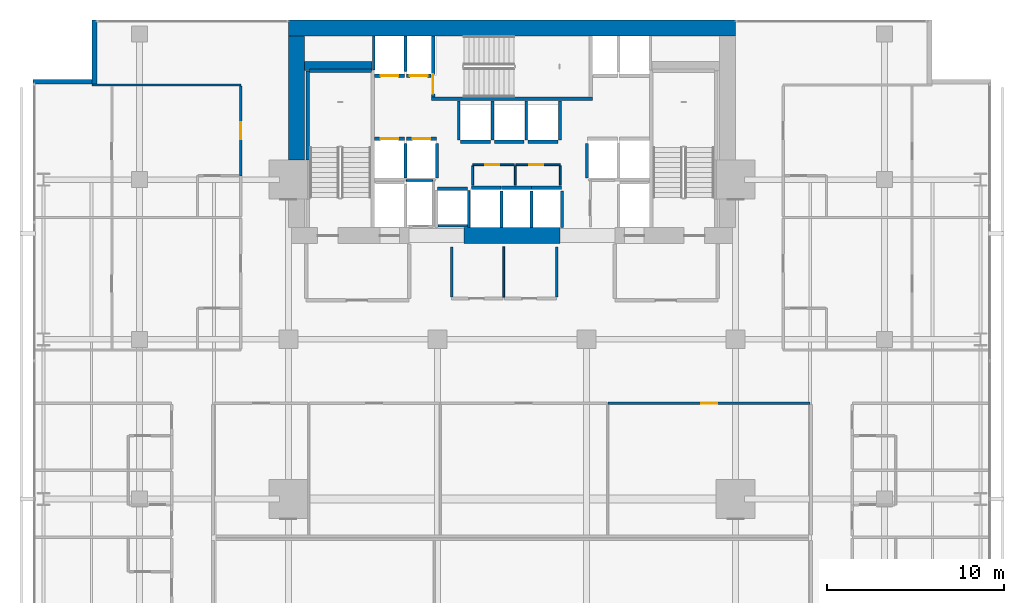
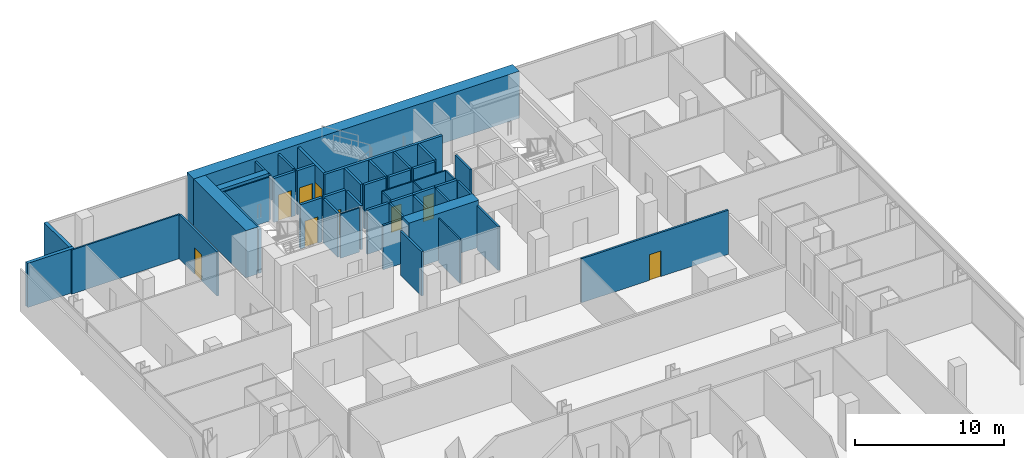
# One storey, part 36 of 40: 47 walls, 9 doors, 9 openings.
"""IFC4 building model written with IfcOpenShell, lengths in metres."""

from ifc_helpers import new_model, si_unit, direction, frame, frame_2d, origin, place, context, subcontext, project, spatial, rectangle, extrude, material, layer, layer_set, type_object, element, fill, save


model = new_model("IFC4")

# Units and contexts
model_context = context("Model", 3, precision=1e-05, world=origin(), true_north=direction((0.0, 1.0)))
body_context = subcontext(model_context, "Body", "Model", "MODEL_VIEW")
ifc_project = project(units=[si_unit("LENGTHUNIT", "METRE"), si_unit("AREAUNIT", "SQUARE_METRE"), si_unit("VOLUMEUNIT", "CUBIC_METRE"), si_unit("PLANEANGLEUNIT", "RADIAN"), si_unit("MASSUNIT", "GRAM", prefix="KILO")], contexts=[model_context])

# Site, building, storey
site_placement = place(None, origin())
site = spatial("IfcSite", under=ifc_project, at=site_placement, CompositionType="ELEMENT")
building_placement = place(site_placement, origin())
building = spatial("IfcBuilding", under=site, at=building_placement, Name="Maruvema Waterfront Hotel and Observation Tower", CompositionType="ELEMENT")
storey_placement = place(building_placement, frame((0.0, 0.0, 107.800048828125)))
storey = spatial("IfcBuildingStorey", under=building, at=storey_placement, Name="L26", CompositionType="ELEMENT", Elevation=107.800048828125)

# Walls
ifc_material_1 = material(Name="Twin-stud acoustic gypsum drywall", Category="gypsum")
ifc_layer_1 = layer(ifc_material_1, 0.14990234375, Name="Acoustic Corridor and Suite Demising Wall 150 mm")
ifc_layer_set_1 = layer_set([ifc_layer_1], Name="Twin-stud acoustic gypsum drywall")
wall_type_1 = type_object("IfcWallType", Name="Acoustic Corridor and Suite Demising Wall 150 mm", PredefinedType="PARTITIONING", material=ifc_layer_set_1)
for number, where, z_axis, x_axis, name in (
    (1, (34.39990234375, 38.3798828125, 0.0), (0.0, 0.0, 1.0), (0.0, 1.0, 0.0), "L26 Core Apron K2 West 019"),
    (2, (40.320068359375, 38.3798828125, 0.0), (0.0, 0.0, 1.0), (0.0, 1.0, 0.0), "L26 Core Apron K2 East 021"),
):
    element("IfcWall", number, at=place(storey_placement, frame(where, z_axis=z_axis, x_axis=x_axis)), inside=storey, type_object=wall_type_1, Name=name, PredefinedType="PARTITIONING", context=body_context, shape_type="SweptSolid", body=[
        extrude(rectangle(XDim=2.840087890625, YDim=0.14990234375, at=frame_2d((1.419921875, 0.0))), origin(), (0.0, 0.0, 1.0), 3.60986328125),
    ])

# Wall, opening, door
wall_1_placement = place(storey_placement, frame((43.221923828125, 32.39990234375, 0.0), z_axis=(0.0, 0.0, 1.0), x_axis=(1.0, 0.0, 0.0)))
wall_1 = element("IfcWall", 3, at=wall_1_placement, inside=storey, type_object=wall_type_1, Name="L26 L26-INTN Front 4 031", PredefinedType="PARTITIONING", context=body_context, shape_type="SweptSolid", body=[
    extrude(rectangle(XDim=11.3681640625, YDim=0.14990234375, at=frame_2d((5.68408203125, 0.0))), origin(), (0.0, 0.0, 1.0), 3.60986328125),
])
opening_1_placement = place(wall_1_placement, frame((5.23388671875, 0.0, 0.0)))
opening_1 = element("IfcOpeningElement", 4, at=opening_1_placement, cuts=wall_1, Name="Opening DR-090", PredefinedType="OPENING", context=body_context, shape_type="SweptSolid", body=[
    extrude(rectangle(XDim=0.89990234375, YDim=2.10009765625, at=frame_2d((0.449951171875, 1.050048828125))), frame((0.0, 0.0849609375, 0.0), z_axis=(0.0, -1.0, 0.0), x_axis=(1.0, 0.0, 0.0)), (0.0, 0.0, 1.0), 0.169921875),
])
ifc_material_2 = material(Name="Solid-core lacquered timber leaf", Category="wood")
door_type_1 = type_object("IfcDoorType", Name="Accessible Toilet and Room Door 900x2100 mm", OperationType="NOTDEFINED", PredefinedType="DOOR", material=ifc_material_2)
door_1_placement = place(opening_1_placement, origin())
door_1 = element("IfcDoor", 5, at=door_1_placement, inside=storey, type_object=door_type_1, Name="L26 Chef Pantry Kitchen 3 Door", OperationType="SINGLE_SWING_LEFT", OverallHeight=2.10009765625, OverallWidth=0.89990234375, PredefinedType="DOOR", context=body_context, shape_type="SweptSolid", body=[
    extrude(rectangle(XDim=0.89990234375, YDim=2.10009765625, at=frame_2d((0.449951171875, 1.050048828125))), frame((0.0, 0.02490234375, 0.0), z_axis=(0.0, -1.0, 0.0), x_axis=(1.0, 0.0, 0.0)), (0.0, 0.0, 1.0), 0.050048828125),
])
fill(opening_1, door_1)

wall_2_placement = place(storey_placement, frame((22.52001953125, 45.21875, 0.0), z_axis=(0.0, 0.0, 1.0), x_axis=(0.0, 1.0, 0.0)))
wall_2 = element("IfcWall", 6, at=wall_2_placement, inside=storey, type_object=wall_type_1, Name="L26 Room L26-NW2 Corridor Wall 126", PredefinedType="PARTITIONING", context=body_context, shape_type="SweptSolid", body=[
    extrude(rectangle(XDim=5.058837890625, YDim=0.14990234375, at=frame_2d((2.529296875, 0.0))), origin(), (0.0, 0.0, 1.0), 3.60986328125),
])
opening_2_placement = place(wall_2_placement, frame((2.054443359375, 0.0, 0.0)))
opening_2 = element("IfcOpeningElement", 7, at=opening_2_placement, cuts=wall_2, Name="Opening DR-095", PredefinedType="OPENING", context=body_context, shape_type="SweptSolid", body=[
    extrude(rectangle(XDim=0.949951171875, YDim=2.14990234375, at=frame_2d((0.47509765625, 1.074951171875))), frame((0.0, 0.0849609375, 0.0), z_axis=(0.0, -1.0, 0.0), x_axis=(1.0, 0.0, 0.0)), (0.0, 0.0, 1.0), 0.169921875),
])
ifc_material_3 = material(Name="Acoustic solid-core hardwood timber leaf", Category="wood")
door_type_2 = type_object("IfcDoorType", Name="Guestroom Entrance Fire Door 950x2150 mm", OperationType="NOTDEFINED", PredefinedType="DOOR", material=ifc_material_3)
door_2_placement = place(opening_2_placement, origin())
door_2 = element("IfcDoor", 8, at=door_2_placement, inside=storey, type_object=door_type_2, Name="L26 Room L26-NW2 Entrance Door", OperationType="SINGLE_SWING_LEFT", OverallHeight=2.14990234375, OverallWidth=0.949951171875, PredefinedType="DOOR", context=body_context, shape_type="SweptSolid", body=[
    extrude(rectangle(XDim=0.949951171875, YDim=2.14990234375, at=frame_2d((0.47509765625, 1.074951171875))), frame((0.0, 0.02490234375, 0.0), z_axis=(0.0, -1.0, 0.0), x_axis=(1.0, 0.0, 0.0)), (0.0, 0.0, 1.0), 0.050048828125),
])
fill(opening_2, door_2)

# Walls
ifc_material_4 = material(Name="Precast concrete C45/55", Category="concrete")
ifc_layer_2 = layer(ifc_material_4, 0.199951171875, Name="Core Shaft and Stairwell Enclosure Wall 200 mm")
ifc_layer_set_2 = layer_set([ifc_layer_2], Name="Precast concrete C45/55")
wall_type_2 = type_object("IfcWallType", Name="Core Shaft and Stairwell Enclosure Wall 200 mm", PredefinedType="SOLIDWALL", material=ifc_layer_set_2)
wall_3_placement = place(storey_placement, frame((26.300048828125, 46.1201171875, 0.0), z_axis=(0.0, 0.0, 1.0), x_axis=(0.0, 1.0, 0.0)))
element("IfcWall", 9, at=wall_3_placement, inside=storey, type_object=wall_type_2, Name="L26 Stairwell ST-01 Shaft Lining Wall", PredefinedType="SOLIDWALL", context=body_context, shape_type="SweptSolid", body=[
    extrude(rectangle(XDim=5.0, YDim=0.199951171875, at=frame_2d((2.5, 0.0))), origin(), (0.0, 0.0, 1.0), 3.60986328125),
])
wall_4_placement = place(storey_placement, frame((26.3798828125, 51.14990234375, 0.0), z_axis=(0.0, 0.0, 1.0), x_axis=(1.0, 0.0, 0.0)))
element("IfcWall", 10, at=wall_4_placement, inside=storey, type_object=wall_type_2, Name="L26 Stairwell ST-01 Shaft Lining Wall", PredefinedType="SOLIDWALL", context=body_context, shape_type="SweptSolid", body=[
    extrude(rectangle(XDim=3.5, YDim=0.199951171875, at=frame_2d((1.75, 0.0))), origin(), (0.0, 0.0, 1.0), 3.60986328125),
])
wall_5_placement = place(storey_placement, frame((33.25, 49.550048828125, 0.0), z_axis=(0.0, 0.0, 1.0), x_axis=(1.0, 0.0, 0.0)))
element("IfcWall", 11, at=wall_5_placement, inside=storey, type_object=wall_type_2, Name="L26 Stairwell ST-02 Shaft Wall", PredefinedType="SOLIDWALL", context=body_context, shape_type="SweptSolid", body=[
    extrude(rectangle(XDim=9.10009765625, YDim=0.199951171875, at=frame_2d((4.550048828125, 0.0))), origin(), (0.0, 0.0, 1.0), 3.60986328125),
])

# Wall, opening, door
wall_6_placement = place(storey_placement, frame((33.35009765625, 49.64990234375, 0.0), z_axis=(0.0, 0.0, 1.0), x_axis=(0.0, 1.0, 0.0)))
wall_6 = element("IfcWall", 12, at=wall_6_placement, inside=storey, type_object=wall_type_2, Name="L26 Stairwell ST-02 Shaft Wall", PredefinedType="SOLIDWALL", context=body_context, shape_type="SweptSolid", body=[
    extrude(rectangle(XDim=3.4501953125, YDim=0.199951171875, at=frame_2d((1.72509765625, 0.0))), origin(), (0.0, 0.0, 1.0), 3.60986328125),
])
opening_3_placement = place(wall_6_placement, frame((0.179931640625, 0.0, 0.0)))
opening_3 = element("IfcOpeningElement", 13, at=opening_3_placement, cuts=wall_6, Name="Opening SD-02", PredefinedType="OPENING", context=body_context, shape_type="SweptSolid", body=[
    extrude(rectangle(XDim=1.10009765625, YDim=2.14990234375, at=frame_2d((0.550048828125, 1.074951171875))), frame((0.0, 0.10986328125, 0.0), z_axis=(0.0, -1.0, 0.0), x_axis=(1.0, 0.0, 0.0)), (0.0, 0.0, 1.0), 0.219970703125),
])
ifc_material_5 = material(Name="Fire-rated galvanised steel leaf", Category="steel")
door_type_3 = type_object("IfcDoorType", Name="Central Exit Stair Fire Door 1100x2150 mm", OperationType="NOTDEFINED", PredefinedType="DOOR", material=ifc_material_5)
door_3_placement = place(opening_3_placement, frame((1.10009765625, 0.0, 0.0), z_axis=(0.0, 0.0, 1.0), x_axis=(-1.0, 0.0, 0.0)))
door_3 = element("IfcDoor", 14, at=door_3_placement, inside=storey, type_object=door_type_3, Name="L26 Exit Stair ST-02 Fire Door", OperationType="SINGLE_SWING_LEFT", OverallHeight=2.14990234375, OverallWidth=1.10009765625, PredefinedType="DOOR", context=body_context, shape_type="SweptSolid", body=[
    extrude(rectangle(XDim=1.10009765625, YDim=2.14990234375, at=frame_2d((0.550048828125, 1.074951171875))), frame((0.0, 0.02490234375, 0.0), z_axis=(0.0, -1.0, 0.0), x_axis=(1.0, 0.0, 0.0)), (0.0, 0.0, 1.0), 0.050048828125),
])
fill(opening_3, door_3)

wall_7_placement = place(storey_placement, frame((30.06005859375, 47.300048828125, 0.0), z_axis=(0.0, 0.0, 1.0), x_axis=(1.0, 0.0, 0.0)))
wall_7 = element("IfcWall", 15, at=wall_7_placement, inside=storey, type_object=wall_type_2, Name="L26 Lift LF-01 Hoistway Front Wall", PredefinedType="SOLIDWALL", context=body_context, shape_type="SweptSolid", body=[
    extrude(rectangle(XDim=1.679931640625, YDim=0.199951171875, at=frame_2d((0.83984375, 0.0))), origin(), (0.0, 0.0, 1.0), 3.60986328125),
])
opening_4_placement = place(wall_7_placement, frame((0.340087890625, 0.0, 0.0)))
opening_4 = element("IfcOpeningElement", 16, at=opening_4_placement, cuts=wall_7, Name="Opening LD-01", PredefinedType="OPENING", context=body_context, shape_type="SweptSolid", body=[
    extrude(rectangle(XDim=1.0, YDim=2.14990234375, at=frame_2d((0.5, 1.074951171875))), frame((0.0, 0.10986328125, 0.0), z_axis=(0.0, -1.0, 0.0), x_axis=(1.0, 0.0, 0.0)), (0.0, 0.0, 1.0), 0.219970703125),
])
ifc_material_6 = material(Name="Brushed stainless steel Grade 316", Category="steel")
door_type_4 = type_object("IfcDoorType", Name="Passenger Lift Sliding Landing Door 1000x2150 mm", OperationType="SLIDING_TO_LEFT", PredefinedType="DOOR", material=ifc_material_6)
door_4_placement = place(opening_4_placement, origin())
door_4 = element("IfcDoor", 17, at=door_4_placement, inside=storey, type_object=door_type_4, Name="L26 Lift LF-01 Sliding Landing Door", OperationType="SLIDING_TO_LEFT", OverallHeight=2.14990234375, OverallWidth=1.0, PredefinedType="DOOR", context=body_context, shape_type="SweptSolid", body=[
    extrude(rectangle(XDim=1.0, YDim=2.14990234375, at=frame_2d((0.5, 1.074951171875))), frame((0.0, 0.02490234375, 0.0), z_axis=(0.0, -1.0, 0.0), x_axis=(1.0, 0.0, 0.0)), (0.0, 0.0, 1.0), 0.050048828125),
])
fill(opening_4, door_4)

wall_8_placement = place(storey_placement, frame((31.860107421875, 47.300048828125, 0.0), z_axis=(0.0, 0.0, 1.0), x_axis=(1.0, 0.0, 0.0)))
wall_8 = element("IfcWall", 18, at=wall_8_placement, inside=storey, type_object=wall_type_2, Name="L26 Lift LF-02 Hoistway Front Wall", PredefinedType="SOLIDWALL", context=body_context, shape_type="SweptSolid", body=[
    extrude(rectangle(XDim=1.679931640625, YDim=0.199951171875, at=frame_2d((0.83984375, 0.0))), origin(), (0.0, 0.0, 1.0), 3.60986328125),
])
opening_5_placement = place(wall_8_placement, frame((0.340087890625, 0.0, 0.0)))
opening_5 = element("IfcOpeningElement", 19, at=opening_5_placement, cuts=wall_8, Name="Opening LD-01", PredefinedType="OPENING", context=body_context, shape_type="SweptSolid", body=[
    extrude(rectangle(XDim=1.0, YDim=2.14990234375, at=frame_2d((0.5, 1.074951171875))), frame((0.0, 0.10986328125, 0.0), z_axis=(0.0, -1.0, 0.0), x_axis=(1.0, 0.0, 0.0)), (0.0, 0.0, 1.0), 0.219970703125),
])
door_5_placement = place(opening_5_placement, origin())
door_5 = element("IfcDoor", 20, at=door_5_placement, inside=storey, type_object=door_type_4, Name="L26 Lift LF-02 Sliding Landing Door", OperationType="SLIDING_TO_LEFT", OverallHeight=2.14990234375, OverallWidth=1.0, PredefinedType="DOOR", context=body_context, shape_type="SweptSolid", body=[
    extrude(rectangle(XDim=1.0, YDim=2.14990234375, at=frame_2d((0.5, 1.074951171875))), frame((0.0, 0.02490234375, 0.0), z_axis=(0.0, -1.0, 0.0), x_axis=(1.0, 0.0, 0.0)), (0.0, 0.0, 1.0), 0.050048828125),
])
fill(opening_5, door_5)

wall_9_placement = place(storey_placement, frame((30.06005859375, 50.85009765625, 0.0), z_axis=(0.0, 0.0, 1.0), x_axis=(1.0, 0.0, 0.0)))
wall_9 = element("IfcWall", 21, at=wall_9_placement, inside=storey, type_object=wall_type_2, Name="L26 Lift LF-03 Hoistway Front Wall", PredefinedType="SOLIDWALL", context=body_context, shape_type="SweptSolid", body=[
    extrude(rectangle(XDim=1.679931640625, YDim=0.199951171875, at=frame_2d((0.83984375, 0.0))), origin(), (0.0, 0.0, 1.0), 3.60986328125),
])
opening_6_placement = place(wall_9_placement, frame((0.340087890625, 0.0, 0.0)))
opening_6 = element("IfcOpeningElement", 22, at=opening_6_placement, cuts=wall_9, Name="Opening LD-01", PredefinedType="OPENING", context=body_context, shape_type="SweptSolid", body=[
    extrude(rectangle(XDim=1.0, YDim=2.14990234375, at=frame_2d((0.5, 1.074951171875))), frame((0.0, 0.10986328125, 0.0), z_axis=(0.0, -1.0, 0.0), x_axis=(1.0, 0.0, 0.0)), (0.0, 0.0, 1.0), 0.219970703125),
])
door_6_placement = place(opening_6_placement, frame((1.0, 0.0, 0.0), z_axis=(0.0, 0.0, 1.0), x_axis=(-1.0, 0.0, 0.0)))
door_6 = element("IfcDoor", 23, at=door_6_placement, inside=storey, type_object=door_type_4, Name="L26 Lift LF-03 Sliding Landing Door", OperationType="SLIDING_TO_LEFT", OverallHeight=2.14990234375, OverallWidth=1.0, PredefinedType="DOOR", context=body_context, shape_type="SweptSolid", body=[
    extrude(rectangle(XDim=1.0, YDim=2.14990234375, at=frame_2d((0.5, 1.074951171875))), frame((0.0, 0.02490234375, 0.0), z_axis=(0.0, -1.0, 0.0), x_axis=(1.0, 0.0, 0.0)), (0.0, 0.0, 1.0), 0.050048828125),
])
fill(opening_6, door_6)

wall_10_placement = place(storey_placement, frame((31.860107421875, 50.85009765625, 0.0), z_axis=(0.0, 0.0, 1.0), x_axis=(1.0, 0.0, 0.0)))
wall_10 = element("IfcWall", 24, at=wall_10_placement, inside=storey, type_object=wall_type_2, Name="L26 Lift LF-04 Hoistway Front Wall", PredefinedType="SOLIDWALL", context=body_context, shape_type="SweptSolid", body=[
    extrude(rectangle(XDim=1.3798828125, YDim=0.199951171875, at=frame_2d((0.68994140625, 0.0))), origin(), (0.0, 0.0, 1.0), 3.60986328125),
])
opening_7_placement = place(wall_10_placement, frame((0.18994140625, 0.0, 0.0)))
opening_7 = element("IfcOpeningElement", 25, at=opening_7_placement, cuts=wall_10, Name="Opening LD-01", PredefinedType="OPENING", context=body_context, shape_type="SweptSolid", body=[
    extrude(rectangle(XDim=1.0, YDim=2.14990234375, at=frame_2d((0.5, 1.074951171875))), frame((0.0, 0.10986328125, 0.0), z_axis=(0.0, -1.0, 0.0), x_axis=(1.0, 0.0, 0.0)), (0.0, 0.0, 1.0), 0.219970703125),
])
door_7_placement = place(opening_7_placement, frame((1.0, 0.0, 0.0), z_axis=(0.0, 0.0, 1.0), x_axis=(-1.0, 0.0, 0.0)))
door_7 = element("IfcDoor", 26, at=door_7_placement, inside=storey, type_object=door_type_4, Name="L26 Lift LF-04 Sliding Landing Door", OperationType="SLIDING_TO_LEFT", OverallHeight=2.14990234375, OverallWidth=1.0, PredefinedType="DOOR", context=body_context, shape_type="SweptSolid", body=[
    extrude(rectangle(XDim=1.0, YDim=2.14990234375, at=frame_2d((0.5, 1.074951171875))), frame((0.0, 0.02490234375, 0.0), z_axis=(0.0, -1.0, 0.0), x_axis=(1.0, 0.0, 0.0)), (0.0, 0.0, 1.0), 0.050048828125),
])
fill(opening_7, door_7)

# Walls
for number, where, z_axis, x_axis, name in (
    (27, (35.510009765625, 44.550048828125, 0.0), (0.0, 0.0, 1.0), (1.0, 0.0, 0.0), "L26 Lift LF-09 Hoistway Front Wall"),
    (28, (37.2099609375, 44.550048828125, 0.0), (0.0, 0.0, 1.0), (1.0, 0.0, 0.0), "L26 Lift LF-10 Hoistway Front Wall"),
):
    element("IfcWall", number, at=place(storey_placement, frame(where, z_axis=z_axis, x_axis=x_axis)), inside=storey, type_object=wall_type_2, Name=name, PredefinedType="SOLIDWALL", context=body_context, shape_type="SweptSolid", body=[
        extrude(rectangle(XDim=1.679931640625, YDim=0.199951171875, at=frame_2d((0.83984375, 0.0))), origin(), (0.0, 0.0, 1.0), 3.60986328125),
    ])
for number, where, z_axis, x_axis, name in (
    (29, (38.909912109375, 44.550048828125, 0.0), (0.0, 0.0, 1.0), (1.0, 0.0, 0.0), "L26 Lift LF-11 Hoistway Front Wall"),
    (30, (34.909912109375, 47.14990234375, 0.0), (0.0, 0.0, 1.0), (1.0, 0.0, 0.0), "L26 Lift LF-12 Hoistway Front Wall"),
):
    element("IfcWall", number, at=place(storey_placement, frame(where, z_axis=z_axis, x_axis=x_axis)), inside=storey, type_object=wall_type_2, Name=name, PredefinedType="SOLIDWALL", context=body_context, shape_type="SweptSolid", body=[
        extrude(rectangle(XDim=1.68017578125, YDim=0.199951171875, at=frame_2d((0.840087890625, 0.0))), origin(), (0.0, 0.0, 1.0), 3.60986328125),
    ])
for number, where, z_axis, x_axis, name in (
    (31, (36.81005859375, 47.14990234375, 0.0), (0.0, 0.0, 1.0), (1.0, 0.0, 0.0), "L26 Lift LF-13 Hoistway Front Wall"),
    (32, (38.7099609375, 47.14990234375, 0.0), (0.0, 0.0, 1.0), (1.0, 0.0, 0.0), "L26 Lift LF-14 Hoistway Front Wall"),
    (33, (33.610107421875, 44.5, 0.0), (0.0, 0.0, 1.0), (1.0, 0.0, 0.0), "L26 Lift LF-15 Hoistway Front Wall"),
):
    element("IfcWall", number, at=place(storey_placement, frame(where, z_axis=z_axis, x_axis=x_axis)), inside=storey, type_object=wall_type_2, Name=name, PredefinedType="SOLIDWALL", context=body_context, shape_type="SweptSolid", body=[
        extrude(rectangle(XDim=1.679931640625, YDim=0.199951171875, at=frame_2d((0.83984375, 0.0))), origin(), (0.0, 0.0, 1.0), 3.60986328125),
    ])
ifc_material_7 = material(Name="Concrete C70/85", Category="concrete")
ifc_layer_3 = layer(ifc_material_7, 0.5, Name="Core Shear Wall 500 mm")
ifc_layer_set_3 = layer_set([ifc_layer_3], Name="Concrete C70/85")
wall_type_3 = type_object("IfcWallType", Name="Core Shear Wall 500 mm", PredefinedType="SHEAR", material=ifc_layer_set_3)
wall_11_placement = place(storey_placement, frame((26.10009765625, 51.39990234375, 0.0), z_axis=(0.0, 0.0, 1.0), x_axis=(1.0, 0.0, 0.0)))
element("IfcWall", 34, at=wall_11_placement, inside=storey, type_object=wall_type_3, Name="L26 Internal Core Shear Wall NW 500 mm", PredefinedType="SHEAR", context=body_context, shape_type="SweptSolid", body=[
    extrude(rectangle(XDim=3.7998046875, YDim=0.5, at=frame_2d((1.89990234375, 0.0))), origin(), (0.0, 0.0, 1.0), 3.849853515625),
])
ifc_material_8 = material(Name="Concrete C80/95", Category="concrete")
ifc_layer_4 = layer(ifc_material_8, 0.89990234375, Name="Core Shear Wall 900 mm")
ifc_layer_set_4 = layer_set([ifc_layer_4], Name="Concrete C80/95")
wall_type_4 = type_object("IfcWallType", Name="Core Shear Wall 900 mm", PredefinedType="SHEAR", material=ifc_layer_set_4)
wall_12_placement = place(storey_placement, frame((25.199951171875, 53.550048828125, 0.0), z_axis=(0.0, 0.0, 1.0), x_axis=(1.0, 0.0, 0.0)))
element("IfcWall", 35, at=wall_12_placement, inside=storey, type_object=wall_type_4, Name="L26 North Core Shear Wall", PredefinedType="SHEAR", context=body_context, shape_type="SweptSolid", body=[
    extrude(rectangle(XDim=25.199951171875, YDim=0.89990234375, at=frame_2d((12.60009765625, 0.0))), origin(), (0.0, 0.0, 1.0), 3.849853515625),
])
wall_13_placement = place(storey_placement, frame((35.10009765625, 41.85009765625, 0.0), z_axis=(0.0, 0.0, 1.0), x_axis=(1.0, 0.0, 0.0)))
element("IfcWall", 36, at=wall_13_placement, inside=storey, type_object=wall_type_4, Name="L26 South-Central Core Shear Wall", PredefinedType="SHEAR", context=body_context, shape_type="SweptSolid", body=[
    extrude(rectangle(XDim=5.39990234375, YDim=0.89990234375, at=frame_2d((2.699951171875, 0.0))), origin(), (0.0, 0.0, 1.0), 3.849853515625),
])
wall_14_placement = place(storey_placement, frame((25.64990234375, 46.10009765625, 0.0), z_axis=(0.0, 0.0, 1.0), x_axis=(0.0, 1.0, 0.0)))
element("IfcWall", 37, at=wall_14_placement, inside=storey, type_object=wall_type_4, Name="L26 West-North Core Shear Wall", PredefinedType="SHEAR", context=body_context, shape_type="SweptSolid", body=[
    extrude(rectangle(XDim=7.0, YDim=0.89990234375, at=frame_2d((3.5, 0.0))), origin(), (0.0, 0.0, 1.0), 3.849853515625),
])
ifc_material_9 = material(Name="Moisture-resistant cement-board drywall", Category="gypsum")
ifc_layer_5 = layer(ifc_material_9, 0.10009765625, Name="En-Suite Moisture-Resistant Partition 100 mm")
ifc_layer_set_5 = layer_set([ifc_layer_5], Name="Moisture-resistant cement-board drywall")
wall_type_5 = type_object("IfcWallType", Name="En-Suite Moisture-Resistant Partition 100 mm", PredefinedType="PARTITIONING", material=ifc_layer_set_5)
wall_15_placement = place(storey_placement, frame((31.840087890625, 44.9599609375, 0.0), z_axis=(0.0, 0.0, 1.0), x_axis=(1.0, 0.0, 0.0)))
element("IfcWall", 38, at=wall_15_placement, inside=storey, type_object=wall_type_5, Name="L26 Telecom Riser North Wall 008", PredefinedType="PARTITIONING", context=body_context, shape_type="SweptSolid", body=[
    extrude(rectangle(XDim=1.47998046875, YDim=0.10009765625, at=frame_2d((0.739990234375, 0.0))), origin(), (0.0, 0.0, 1.0), 3.60986328125),
])

# Wall, opening, door
wall_16_placement = place(storey_placement, frame((35.580078125, 45.840087890625, 0.0), z_axis=(0.0, 0.0, 1.0), x_axis=(1.0, 0.0, 0.0)))
wall_16 = element("IfcWall", 39, at=wall_16_placement, inside=storey, type_object=wall_type_5, Name="L26 Core Closet K2A North 010", PredefinedType="PARTITIONING", context=body_context, shape_type="SweptSolid", body=[
    extrude(rectangle(XDim=2.35986328125, YDim=0.10009765625, at=frame_2d((1.179931640625, 0.0))), origin(), (0.0, 0.0, 1.0), 3.60986328125),
])
opening_8_placement = place(wall_16_placement, frame((0.699951171875, 0.0, 0.0)))
opening_8 = element("IfcOpeningElement", 40, at=opening_8_placement, cuts=wall_16, Name="Opening DR-080", PredefinedType="OPENING", context=body_context, shape_type="SweptSolid", body=[
    extrude(rectangle(XDim=0.800048828125, YDim=2.050048828125, at=frame_2d((0.39990234375, 1.02490234375))), frame((0.0, 0.06005859375, 0.0), z_axis=(0.0, -1.0, 0.0), x_axis=(1.0, 0.0, 0.0)), (0.0, 0.0, 1.0), 0.1201171875),
])
ifc_material_10 = material(Name="Powder-coated steel access leaf", Category="steel")
door_type_5 = type_object("IfcDoorType", Name="Riser and Service Cupboard Door 800x2050 mm", OperationType="NOTDEFINED", PredefinedType="DOOR", material=ifc_material_10)
door_8_placement = place(opening_8_placement, origin())
door_8 = element("IfcDoor", 41, at=door_8_placement, inside=storey, type_object=door_type_5, Name="L26 Core IT Closet Door", OperationType="SINGLE_SWING_LEFT", OverallHeight=2.050048828125, OverallWidth=0.800048828125, PredefinedType="DOOR", context=body_context, shape_type="SweptSolid", body=[
    extrude(rectangle(XDim=0.800048828125, YDim=2.050048828125, at=frame_2d((0.39990234375, 1.02490234375))), frame((0.0, 0.02490234375, 0.0), z_axis=(0.0, -1.0, 0.0), x_axis=(1.0, 0.0, 0.0)), (0.0, 0.0, 1.0), 0.050048828125),
])
fill(opening_8, door_8)

wall_17_placement = place(storey_placement, frame((38.02001953125, 45.840087890625, 0.0), z_axis=(0.0, 0.0, 1.0), x_axis=(1.0, 0.0, 0.0)))
wall_17 = element("IfcWall", 42, at=wall_17_placement, inside=storey, type_object=wall_type_5, Name="L26 Core Closet K2B North 011", PredefinedType="PARTITIONING", context=body_context, shape_type="SweptSolid", body=[
    extrude(rectangle(XDim=2.5, YDim=0.10009765625, at=frame_2d((1.25, 0.0))), origin(), (0.0, 0.0, 1.0), 3.60986328125),
])
opening_9_placement = place(wall_17_placement, frame((0.75, 0.0, 0.0)))
opening_9 = element("IfcOpeningElement", 43, at=opening_9_placement, cuts=wall_17, Name="Opening DR-080", PredefinedType="OPENING", context=body_context, shape_type="SweptSolid", body=[
    extrude(rectangle(XDim=0.800048828125, YDim=2.050048828125, at=frame_2d((0.39990234375, 1.02490234375))), frame((0.0, 0.06005859375, 0.0), z_axis=(0.0, -1.0, 0.0), x_axis=(1.0, 0.0, 0.0)), (0.0, 0.0, 1.0), 0.1201171875),
])
door_9_placement = place(opening_9_placement, origin())
door_9 = element("IfcDoor", 44, at=door_9_placement, inside=storey, type_object=door_type_5, Name="L26 Core Linen Cupboard Door", OperationType="SINGLE_SWING_RIGHT", OverallHeight=2.050048828125, OverallWidth=0.800048828125, PredefinedType="DOOR", context=body_context, shape_type="SweptSolid", body=[
    extrude(rectangle(XDim=0.800048828125, YDim=2.050048828125, at=frame_2d((0.39990234375, 1.02490234375))), frame((0.0, 0.02490234375, 0.0), z_axis=(0.0, -1.0, 0.0), x_axis=(1.0, 0.0, 0.0)), (0.0, 0.0, 1.0), 0.050048828125),
])
fill(opening_9, door_9)

# Walls
for number, where, z_axis, x_axis, name in (
    (45, (35.580078125, 44.699951171875, 0.0), (0.0, 0.0, 1.0), (0.0, 1.0, 0.0), "L26 Core Closet K2 West 012"),
    (46, (37.97998046875, 44.699951171875, 0.0), (0.0, 0.0, 1.0), (0.0, 1.0, 0.0), "L26 Core Closet K2 Mid 013"),
    (47, (40.52001953125, 44.699951171875, 0.0), (0.0, 0.0, 1.0), (0.0, 1.0, 0.0), "L26 Core Closet K2 East 014"),
):
    element("IfcWall", number, at=place(storey_placement, frame(where, z_axis=z_axis, x_axis=x_axis)), inside=storey, type_object=wall_type_5, Name=name, PredefinedType="PARTITIONING", context=body_context, shape_type="SweptSolid", body=[
        extrude(rectangle(XDim=1.080078125, YDim=0.10009765625, at=frame_2d((0.5400390625, 0.0))), origin(), (0.0, 0.0, 1.0), 3.60986328125),
    ])
wall_18_placement = place(storey_placement, frame((37.330078125, 38.3798828125, 0.0), z_axis=(0.0, 0.0, 1.0), x_axis=(0.0, 1.0, 0.0)))
element("IfcWall", 48, at=wall_18_placement, inside=storey, type_object=wall_type_5, Name="L26 Core Apron K2 Split 020", PredefinedType="PARTITIONING", context=body_context, shape_type="SweptSolid", body=[
    extrude(rectangle(XDim=2.840087890625, YDim=0.10009765625, at=frame_2d((1.419921875, 0.0))), origin(), (0.0, 0.0, 1.0), 3.60986328125),
])
ifc_material_11 = material(Name="Precast concrete C45/55 with honed Pernambuco granite facing", Category="masonry")
ifc_layer_6 = layer(ifc_material_11, 0.260009765625, Name="Exterior Granite Clad Spandrel and Pier Wall 260 mm")
ifc_layer_set_6 = layer_set([ifc_layer_6], Name="Precast concrete C45/55 with honed Pernambuco granite facing")
wall_type_6 = type_object("IfcWallType", Name="Exterior Granite Clad Spandrel and Pier Wall 260 mm", PredefinedType="SOLIDWALL", material=ifc_layer_set_6)
wall_19_placement = place(storey_placement, frame((14.27001953125, 50.39990234375, 0.0), z_axis=(0.0, 0.0, 1.0), x_axis=(0.0, 1.0, 0.0)))
element("IfcWall", 49, at=wall_19_placement, inside=storey, type_object=wall_type_6, Name="L26 Corner Notch Granite Pier Wall NW1", PredefinedType="SOLIDWALL", context=body_context, shape_type="SweptSolid", body=[
    extrude(rectangle(XDim=3.60009765625, YDim=0.260009765625, at=frame_2d((1.800048828125, 0.0))), origin(), (0.0, 0.0, 1.0), 3.60986328125),
])
wall_20_placement = place(storey_placement, frame((10.800048828125, 50.530029296875, 0.0), z_axis=(0.0, 0.0, 1.0), x_axis=(1.0, 0.0, 0.0)))
element("IfcWall", 50, at=wall_20_placement, inside=storey, type_object=wall_type_6, Name="L26 Corner Notch Granite Pier Wall NW2", PredefinedType="SOLIDWALL", context=body_context, shape_type="SweptSolid", body=[
    extrude(rectangle(XDim=3.599853515625, YDim=0.260009765625, at=frame_2d((1.7998046875, 0.0))), origin(), (0.0, 0.0, 1.0), 3.60986328125),
])
ifc_material_12 = material(Name="Acoustic gypsum plasterboard drywall", Category="gypsum")
ifc_layer_7 = layer(ifc_material_12, 0.125, Name="Guestroom Acoustic Demising Wall 125 mm")
ifc_layer_set_7 = layer_set([ifc_layer_7], Name="Acoustic gypsum plasterboard drywall")
wall_type_7 = type_object("IfcWallType", Name="Guestroom Acoustic Demising Wall 125 mm", PredefinedType="PARTITIONING", material=ifc_layer_set_7)
wall_21_placement = place(storey_placement, frame((14.139892578125, 50.33740234375, 0.0), z_axis=(0.0, 0.0, 1.0), x_axis=(1.0, 0.0, 0.0)))
element("IfcWall", 51, at=wall_21_placement, inside=storey, type_object=wall_type_7, Name="L26 NW Top End 111", PredefinedType="PARTITIONING", context=body_context, shape_type="SweptSolid", body=[
    extrude(rectangle(XDim=8.380126953125, YDim=0.125, at=frame_2d((4.18994140625, 0.0))), origin(), (0.0, 0.0, 1.0), 3.60986328125),
])
ifc_material_13 = material(Name="Precast concrete C45/55", Category="concrete")
ifc_layer_8 = layer(ifc_material_13, 0.159912109375, Name="Lift Hoistway Divider Wall 160 mm")
ifc_layer_set_8 = layer_set([ifc_layer_8], Name="Precast concrete C45/55")
wall_type_8 = type_object("IfcWallType", Name="Lift Hoistway Divider Wall 160 mm", PredefinedType="SOLIDWALL", material=ifc_layer_set_8)
for number, where, z_axis, x_axis, name in (
    (52, (31.800048828125, 45.10009765625, 0.0), (0.0, 0.0, 1.0), (0.0, 1.0, 0.0), "L26 Hoistway Divider Wall"),
    (53, (33.580078125, 45.10009765625, 0.0), (0.0, 0.0, 1.0), (0.0, 1.0, 0.0), "L26 Hoistway Divider Wall"),
):
    element("IfcWall", number, at=place(storey_placement, frame(where, z_axis=z_axis, x_axis=x_axis)), inside=storey, type_object=wall_type_8, Name=name, PredefinedType="SOLIDWALL", context=body_context, shape_type="SweptSolid", body=[
        extrude(rectangle(XDim=1.949951171875, YDim=0.159912109375, at=frame_2d((0.97509765625, 0.0))), origin(), (0.0, 0.0, 1.0), 3.60986328125),
    ])
wall_22_placement = place(storey_placement, frame((30.010009765625, 51.179931640625, 0.0), z_axis=(0.0, 0.0, 1.0), x_axis=(0.0, 1.0, 0.0)))
element("IfcWall", 54, at=wall_22_placement, inside=storey, type_object=wall_type_8, Name="L26 Hoistway Divider Wall", PredefinedType="SOLIDWALL", context=body_context, shape_type="SweptSolid", body=[
    extrude(rectangle(XDim=1.920166015625, YDim=0.159912109375, at=frame_2d((0.9599609375, 0.0))), origin(), (0.0, 0.0, 1.0), 3.60986328125),
])
wall_23_placement = place(storey_placement, frame((31.800048828125, 51.10009765625, 0.0), z_axis=(0.0, 0.0, 1.0), x_axis=(0.0, 1.0, 0.0)))
element("IfcWall", 55, at=wall_23_placement, inside=storey, type_object=wall_type_8, Name="L26 Hoistway Divider Wall", PredefinedType="SOLIDWALL", context=body_context, shape_type="SweptSolid", body=[
    extrude(rectangle(XDim=2.0, YDim=0.159912109375, at=frame_2d((1.0, 0.0))), origin(), (0.0, 0.0, 1.0), 3.60986328125),
])
wall_24_placement = place(storey_placement, frame((42.02001953125, 45.10009765625, 0.0), z_axis=(0.0, 0.0, 1.0), x_axis=(0.0, 1.0, 0.0)))
element("IfcWall", 56, at=wall_24_placement, inside=storey, type_object=wall_type_8, Name="L26 Hoistway Divider Wall", PredefinedType="SOLIDWALL", context=body_context, shape_type="SweptSolid", body=[
    extrude(rectangle(XDim=1.949951171875, YDim=0.159912109375, at=frame_2d((0.97509765625, 0.0))), origin(), (0.0, 0.0, 1.0), 3.60986328125),
])
for number, where, z_axis, x_axis, name in (
    (57, (37.199951171875, 42.300048828125, 0.0), (0.0, 0.0, 1.0), (0.0, 1.0, 0.0), "L26 Hoistway Divider Wall"),
    (58, (38.89990234375, 42.300048828125, 0.0), (0.0, 0.0, 1.0), (0.0, 1.0, 0.0), "L26 Hoistway Divider Wall"),
    (59, (40.6201171875, 42.300048828125, 0.0), (0.0, 0.0, 1.0), (0.0, 1.0, 0.0), "L26 Hoistway Divider Wall"),
):
    element("IfcWall", number, at=place(storey_placement, frame(where, z_axis=z_axis, x_axis=x_axis)), inside=storey, type_object=wall_type_8, Name=name, PredefinedType="SOLIDWALL", context=body_context, shape_type="SweptSolid", body=[
        extrude(rectangle(XDim=2.050048828125, YDim=0.159912109375, at=frame_2d((1.02490234375, 0.0))), origin(), (0.0, 0.0, 1.0), 3.60986328125),
    ])
for number, where, z_axis, x_axis, name in (
    (60, (34.800048828125, 47.25, 0.0), (0.0, 0.0, 1.0), (0.0, 1.0, 0.0), "L26 Hoistway Divider Wall"),
    (61, (36.699951171875, 47.25, 0.0), (0.0, 0.0, 1.0), (0.0, 1.0, 0.0), "L26 Hoistway Divider Wall"),
    (62, (38.60009765625, 47.25, 0.0), (0.0, 0.0, 1.0), (0.0, 1.0, 0.0), "L26 Hoistway Divider Wall"),
    (63, (40.5, 47.25, 0.0), (0.0, 0.0, 1.0), (0.0, 1.0, 0.0), "L26 Hoistway Divider Wall"),
):
    element("IfcWall", number, at=place(storey_placement, frame(where, z_axis=z_axis, x_axis=x_axis)), inside=storey, type_object=wall_type_8, Name=name, PredefinedType="SOLIDWALL", context=body_context, shape_type="SweptSolid", body=[
        extrude(rectangle(XDim=2.18994140625, YDim=0.159912109375, at=frame_2d((1.094970703125, 0.0))), origin(), (0.0, 0.0, 1.0), 3.60986328125),
    ])
wall_25_placement = place(storey_placement, frame((35.360107421875, 42.300048828125, 0.0), z_axis=(0.0, 0.0, 1.0), x_axis=(0.0, 1.0, 0.0)))
element("IfcWall", 64, at=wall_25_placement, inside=storey, type_object=wall_type_8, Name="L26 Hoistway Divider Wall", PredefinedType="SOLIDWALL", context=body_context, shape_type="SweptSolid", body=[
    extrude(rectangle(XDim=2.099853515625, YDim=0.159912109375, at=frame_2d((1.0498046875, 0.0))), origin(), (0.0, 0.0, 1.0), 3.60986328125),
])
wall_26_placement = place(storey_placement, frame((33.6201171875, 42.39990234375, 0.0), z_axis=(0.0, 0.0, 1.0), x_axis=(1.0, 0.0, 0.0)))
element("IfcWall", 65, at=wall_26_placement, inside=storey, type_object=wall_type_8, Name="L26 Hoistway Divider Wall", PredefinedType="SOLIDWALL", context=body_context, shape_type="SweptSolid", body=[
    extrude(rectangle(XDim=1.659912109375, YDim=0.159912109375, at=frame_2d((0.830078125, 0.0))), origin(), (0.0, 0.0, 1.0), 3.60986328125),
])

save(model, "model.ifc")
